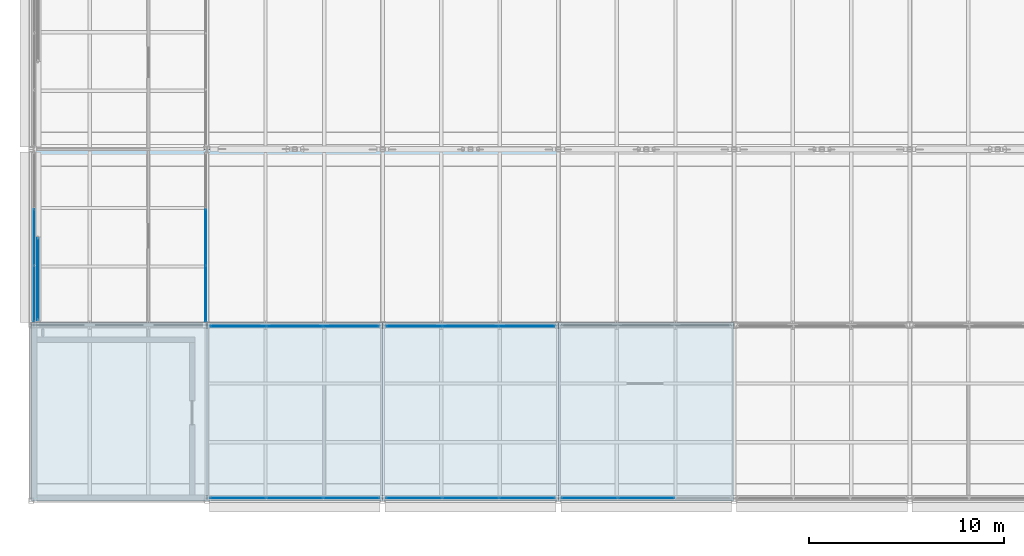
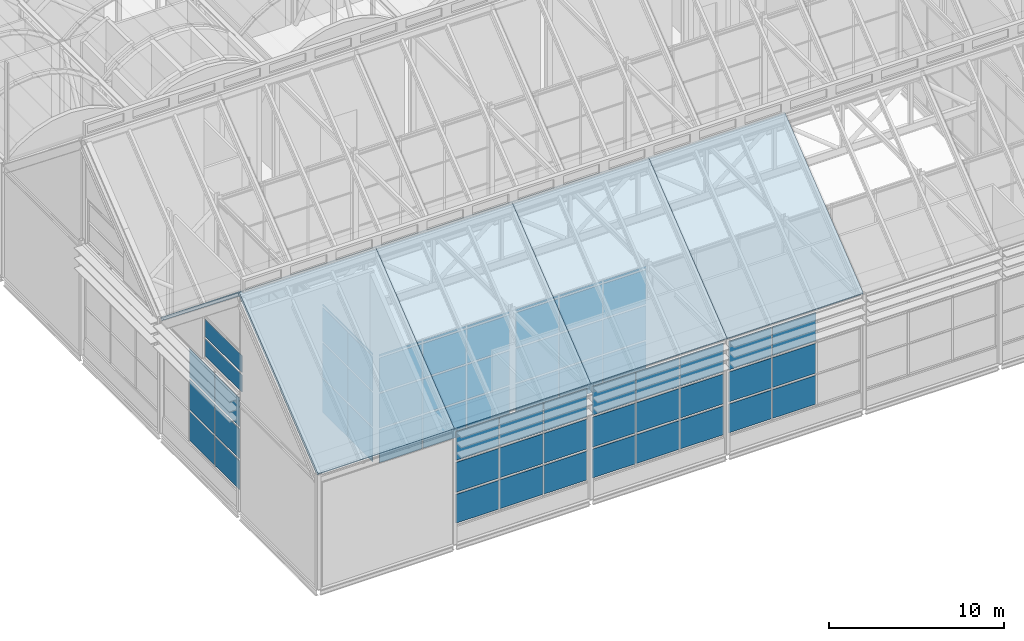
# One storey, part 117 of 144: 64 plates, 7 slabs, 8 elements without a shape of their own.
"""IFC4 building model written with IfcOpenShell, lengths in metres."""

from ifc_helpers import new_model, si_unit, direction, frame, origin, origin_2d, place, context, subcontext, project, spatial, polyline, rectangle, outline, extrude, material, layer, layer_set, type_object, element, aggregate, save


model = new_model("IFC4")

# Units and contexts
model_context = context("Model", 3, precision=1e-05, world=origin(), true_north=direction((0.0, 1.0)))
body_context = subcontext(model_context, "Body", "Model", "MODEL_VIEW")
ifc_project = project(units=[si_unit("LENGTHUNIT", "METRE"), si_unit("AREAUNIT", "SQUARE_METRE"), si_unit("VOLUMEUNIT", "CUBIC_METRE"), si_unit("PLANEANGLEUNIT", "RADIAN"), si_unit("MASSUNIT", "GRAM", prefix="KILO")], contexts=[model_context])

# Site, building, storey
site_placement = place(None, origin())
site = spatial("IfcSite", under=ifc_project, at=site_placement, CompositionType="ELEMENT")
building_placement = place(site_placement, origin())
building = spatial("IfcBuilding", under=site, at=building_placement, Name="Shorebreak Coast Museum", CompositionType="ELEMENT")
storey_placement = place(building_placement, frame((0.0, 0.0, 36.0)))
storey = spatial("IfcBuildingStorey", under=building, at=storey_placement, Name="L06", CompositionType="ELEMENT", Elevation=36.0)

# Curtain wall, plates
ifc_material_1 = material(Name="Aluminium", Category="aluminium")
ifc_layer_1 = layer(ifc_material_1, 0.1201171875)
ifc_layer_set_1 = layer_set([ifc_layer_1], Name="Aluminium")
curtain_wall_type_1 = type_object("IfcCurtainWallType", Name="Atrium fire screen", PredefinedType="NOTDEFINED", material=ifc_layer_set_1)
curtain_wall_1_placement = place(storey_placement, origin())
curtain_wall_1 = element("IfcCurtainWall", 1, at=curtain_wall_1_placement, inside=storey, type_object=curtain_wall_type_1, Name="Atrium screen L06 S 79", PredefinedType="NOTDEFINED")
ifc_material_2 = material(Name="Glass", Category="glass")
ifc_layer_2 = layer(ifc_material_2, 0.034912109375)
ifc_layer_set_2 = layer_set([ifc_layer_2], Name="Glass")
plate_type_1 = type_object("IfcPlateType", Name="Fire-resisting glass panel 35", PredefinedType="CURTAIN_PANEL", material=ifc_layer_set_2)
plate_1_placement = place(storey_placement, frame((64.61474609375, 62.93994140625, 0.1201171875), z_axis=(0.0, 0.0, 1.0), x_axis=(1.0, 0.0, 0.0)))
plate_1 = element("IfcPlate", 2, at=plate_1_placement, type_object=plate_type_1, Name="CW5 panel 1.1", PredefinedType="CURTAIN_PANEL", context=body_context, shape_type="SweptSolid", body=[
    extrude(rectangle(XDim=2.82275390625, YDim=0.034912109375, at=origin_2d()), origin(), (0.0, 0.0, 1.0), 2.320068359375),
])
plate_2_placement = place(storey_placement, frame((64.61474609375, 62.93994140625, 2.56005859375), z_axis=(0.0, 0.0, 1.0), x_axis=(1.0, 0.0, 0.0)))
plate_2 = element("IfcPlate", 3, at=plate_2_placement, type_object=plate_type_1, Name="CW5 panel 1.2", PredefinedType="CURTAIN_PANEL", context=body_context, shape_type="SweptSolid", body=[
    extrude(rectangle(XDim=2.82275390625, YDim=0.034912109375, at=origin_2d()), origin(), (0.0, 0.0, 1.0), 2.3798828125),
])
plate_3_placement = place(storey_placement, frame((64.61474609375, 62.93994140625, 5.06005859375), z_axis=(0.0, 0.0, 1.0), x_axis=(1.0, 0.0, 0.0)))
plate_3 = element("IfcPlate", 4, at=plate_3_placement, type_object=plate_type_1, Name="CW5 panel 1.3", PredefinedType="CURTAIN_PANEL", context=body_context, shape_type="SweptSolid", body=[
    extrude(rectangle(XDim=2.82275390625, YDim=0.034912109375, at=origin_2d()), origin(), (0.0, 0.0, 1.0), 2.3798828125),
])
plate_4_placement = place(storey_placement, frame((64.61474609375, 62.93994140625, 7.56005859375), z_axis=(0.0, 0.0, 1.0), x_axis=(1.0, 0.0, 0.0)))
plate_4 = element("IfcPlate", 5, at=plate_4_placement, type_object=plate_type_1, Name="CW5 panel 1.4", PredefinedType="CURTAIN_PANEL", context=body_context, shape_type="SweptSolid", body=[
    extrude(rectangle(XDim=2.82275390625, YDim=0.034912109375, at=origin_2d()), origin(), (0.0, 0.0, 1.0), 0.1201171875),
])
plate_5_placement = place(storey_placement, frame((67.5, 62.93994140625, 0.1201171875), z_axis=(0.0, 0.0, 1.0), x_axis=(1.0, 0.0, 0.0)))
plate_5 = element("IfcPlate", 6, at=plate_5_placement, type_object=plate_type_1, Name="CW5 panel 2.1", PredefinedType="CURTAIN_PANEL", context=body_context, shape_type="SweptSolid", body=[
    extrude(rectangle(XDim=2.84765625, YDim=0.034912109375, at=origin_2d()), origin(), (0.0, 0.0, 1.0), 2.320068359375),
])
plate_6_placement = place(storey_placement, frame((67.5, 62.93994140625, 2.56005859375), z_axis=(0.0, 0.0, 1.0), x_axis=(1.0, 0.0, 0.0)))
plate_6 = element("IfcPlate", 7, at=plate_6_placement, type_object=plate_type_1, Name="CW5 panel 2.2", PredefinedType="CURTAIN_PANEL", context=body_context, shape_type="SweptSolid", body=[
    extrude(rectangle(XDim=2.84765625, YDim=0.034912109375, at=origin_2d()), origin(), (0.0, 0.0, 1.0), 2.3798828125),
])
plate_7_placement = place(storey_placement, frame((67.5, 62.93994140625, 5.06005859375), z_axis=(0.0, 0.0, 1.0), x_axis=(1.0, 0.0, 0.0)))
plate_7 = element("IfcPlate", 8, at=plate_7_placement, type_object=plate_type_1, Name="CW5 panel 2.3", PredefinedType="CURTAIN_PANEL", context=body_context, shape_type="SweptSolid", body=[
    extrude(rectangle(XDim=2.84765625, YDim=0.034912109375, at=origin_2d()), origin(), (0.0, 0.0, 1.0), 2.3798828125),
])
plate_8_placement = place(storey_placement, frame((67.5, 62.93994140625, 7.56005859375), z_axis=(0.0, 0.0, 1.0), x_axis=(1.0, 0.0, 0.0)))
plate_8 = element("IfcPlate", 9, at=plate_8_placement, type_object=plate_type_1, Name="CW5 panel 2.4", PredefinedType="CURTAIN_PANEL", context=body_context, shape_type="SweptSolid", body=[
    extrude(rectangle(XDim=2.84765625, YDim=0.034912109375, at=origin_2d()), origin(), (0.0, 0.0, 1.0), 0.1201171875),
])
plate_9_placement = place(storey_placement, frame((70.38525390625, 62.93994140625, 0.1201171875), z_axis=(0.0, 0.0, 1.0), x_axis=(1.0, 0.0, 0.0)))
plate_9 = element("IfcPlate", 10, at=plate_9_placement, type_object=plate_type_1, Name="CW5 panel 3.1", PredefinedType="CURTAIN_PANEL", context=body_context, shape_type="SweptSolid", body=[
    extrude(rectangle(XDim=2.82275390625, YDim=0.034912109375, at=origin_2d()), origin(), (0.0, 0.0, 1.0), 2.320068359375),
])
plate_10_placement = place(storey_placement, frame((70.38525390625, 62.93994140625, 2.56005859375), z_axis=(0.0, 0.0, 1.0), x_axis=(1.0, 0.0, 0.0)))
plate_10 = element("IfcPlate", 11, at=plate_10_placement, type_object=plate_type_1, Name="CW5 panel 3.2", PredefinedType="CURTAIN_PANEL", context=body_context, shape_type="SweptSolid", body=[
    extrude(rectangle(XDim=2.82275390625, YDim=0.034912109375, at=origin_2d()), origin(), (0.0, 0.0, 1.0), 2.3798828125),
])
plate_11_placement = place(storey_placement, frame((70.38525390625, 62.93994140625, 5.06005859375), z_axis=(0.0, 0.0, 1.0), x_axis=(1.0, 0.0, 0.0)))
plate_11 = element("IfcPlate", 12, at=plate_11_placement, type_object=plate_type_1, Name="CW5 panel 3.3", PredefinedType="CURTAIN_PANEL", context=body_context, shape_type="SweptSolid", body=[
    extrude(rectangle(XDim=2.82275390625, YDim=0.034912109375, at=origin_2d()), origin(), (0.0, 0.0, 1.0), 2.3798828125),
])
plate_12_placement = place(storey_placement, frame((70.38525390625, 62.93994140625, 7.56005859375), z_axis=(0.0, 0.0, 1.0), x_axis=(1.0, 0.0, 0.0)))
plate_12 = element("IfcPlate", 13, at=plate_12_placement, type_object=plate_type_1, Name="CW5 panel 3.4", PredefinedType="CURTAIN_PANEL", context=body_context, shape_type="SweptSolid", body=[
    extrude(rectangle(XDim=2.82275390625, YDim=0.034912109375, at=origin_2d()), origin(), (0.0, 0.0, 1.0), 0.1201171875),
])
aggregate(curtain_wall_1, [plate_1, plate_2, plate_3, plate_4, plate_5, plate_6, plate_7, plate_8, plate_9, plate_10, plate_11, plate_12])

curtain_wall_2_placement = place(storey_placement, origin())
curtain_wall_2 = element("IfcCurtainWall", 14, at=curtain_wall_2_placement, inside=storey, type_object=curtain_wall_type_1, Name="Atrium screen L06 S 80", PredefinedType="NOTDEFINED")
plate_13_placement = place(storey_placement, frame((73.61474609375, 62.93994140625, 0.1201171875), z_axis=(0.0, 0.0, 1.0), x_axis=(1.0, 0.0, 0.0)))
plate_13 = element("IfcPlate", 15, at=plate_13_placement, type_object=plate_type_1, Name="CW6 panel 1.1", PredefinedType="CURTAIN_PANEL", context=body_context, shape_type="SweptSolid", body=[
    extrude(rectangle(XDim=2.82275390625, YDim=0.034912109375, at=origin_2d()), origin(), (0.0, 0.0, 1.0), 2.320068359375),
])
plate_14_placement = place(storey_placement, frame((73.61474609375, 62.93994140625, 2.56005859375), z_axis=(0.0, 0.0, 1.0), x_axis=(1.0, 0.0, 0.0)))
plate_14 = element("IfcPlate", 16, at=plate_14_placement, type_object=plate_type_1, Name="CW6 panel 1.2", PredefinedType="CURTAIN_PANEL", context=body_context, shape_type="SweptSolid", body=[
    extrude(rectangle(XDim=2.82275390625, YDim=0.034912109375, at=origin_2d()), origin(), (0.0, 0.0, 1.0), 2.3798828125),
])
plate_15_placement = place(storey_placement, frame((73.61474609375, 62.93994140625, 5.06005859375), z_axis=(0.0, 0.0, 1.0), x_axis=(1.0, 0.0, 0.0)))
plate_15 = element("IfcPlate", 17, at=plate_15_placement, type_object=plate_type_1, Name="CW6 panel 1.3", PredefinedType="CURTAIN_PANEL", context=body_context, shape_type="SweptSolid", body=[
    extrude(rectangle(XDim=2.82275390625, YDim=0.034912109375, at=origin_2d()), origin(), (0.0, 0.0, 1.0), 2.3798828125),
])
plate_16_placement = place(storey_placement, frame((73.61474609375, 62.93994140625, 7.56005859375), z_axis=(0.0, 0.0, 1.0), x_axis=(1.0, 0.0, 0.0)))
plate_16 = element("IfcPlate", 18, at=plate_16_placement, type_object=plate_type_1, Name="CW6 panel 1.4", PredefinedType="CURTAIN_PANEL", context=body_context, shape_type="SweptSolid", body=[
    extrude(rectangle(XDim=2.82275390625, YDim=0.034912109375, at=origin_2d()), origin(), (0.0, 0.0, 1.0), 0.1201171875),
])
plate_17_placement = place(storey_placement, frame((76.5, 62.93994140625, 0.1201171875), z_axis=(0.0, 0.0, 1.0), x_axis=(1.0, 0.0, 0.0)))
plate_17 = element("IfcPlate", 19, at=plate_17_placement, type_object=plate_type_1, Name="CW6 panel 2.1", PredefinedType="CURTAIN_PANEL", context=body_context, shape_type="SweptSolid", body=[
    extrude(rectangle(XDim=2.84765625, YDim=0.034912109375, at=origin_2d()), origin(), (0.0, 0.0, 1.0), 2.320068359375),
])
plate_18_placement = place(storey_placement, frame((76.5, 62.93994140625, 2.56005859375), z_axis=(0.0, 0.0, 1.0), x_axis=(1.0, 0.0, 0.0)))
plate_18 = element("IfcPlate", 20, at=plate_18_placement, type_object=plate_type_1, Name="CW6 panel 2.2", PredefinedType="CURTAIN_PANEL", context=body_context, shape_type="SweptSolid", body=[
    extrude(rectangle(XDim=2.84765625, YDim=0.034912109375, at=origin_2d()), origin(), (0.0, 0.0, 1.0), 2.3798828125),
])
plate_19_placement = place(storey_placement, frame((76.5, 62.93994140625, 5.06005859375), z_axis=(0.0, 0.0, 1.0), x_axis=(1.0, 0.0, 0.0)))
plate_19 = element("IfcPlate", 21, at=plate_19_placement, type_object=plate_type_1, Name="CW6 panel 2.3", PredefinedType="CURTAIN_PANEL", context=body_context, shape_type="SweptSolid", body=[
    extrude(rectangle(XDim=2.84765625, YDim=0.034912109375, at=origin_2d()), origin(), (0.0, 0.0, 1.0), 2.3798828125),
])
plate_20_placement = place(storey_placement, frame((76.5, 62.93994140625, 7.56005859375), z_axis=(0.0, 0.0, 1.0), x_axis=(1.0, 0.0, 0.0)))
plate_20 = element("IfcPlate", 22, at=plate_20_placement, type_object=plate_type_1, Name="CW6 panel 2.4", PredefinedType="CURTAIN_PANEL", context=body_context, shape_type="SweptSolid", body=[
    extrude(rectangle(XDim=2.84765625, YDim=0.034912109375, at=origin_2d()), origin(), (0.0, 0.0, 1.0), 0.1201171875),
])
plate_21_placement = place(storey_placement, frame((79.38525390625, 62.93994140625, 0.1201171875), z_axis=(0.0, 0.0, 1.0), x_axis=(1.0, 0.0, 0.0)))
plate_21 = element("IfcPlate", 23, at=plate_21_placement, type_object=plate_type_1, Name="CW6 panel 3.1", PredefinedType="CURTAIN_PANEL", context=body_context, shape_type="SweptSolid", body=[
    extrude(rectangle(XDim=2.82275390625, YDim=0.034912109375, at=origin_2d()), origin(), (0.0, 0.0, 1.0), 2.320068359375),
])
plate_22_placement = place(storey_placement, frame((79.38525390625, 62.93994140625, 2.56005859375), z_axis=(0.0, 0.0, 1.0), x_axis=(1.0, 0.0, 0.0)))
plate_22 = element("IfcPlate", 24, at=plate_22_placement, type_object=plate_type_1, Name="CW6 panel 3.2", PredefinedType="CURTAIN_PANEL", context=body_context, shape_type="SweptSolid", body=[
    extrude(rectangle(XDim=2.82275390625, YDim=0.034912109375, at=origin_2d()), origin(), (0.0, 0.0, 1.0), 2.3798828125),
])
plate_23_placement = place(storey_placement, frame((79.38525390625, 62.93994140625, 5.06005859375), z_axis=(0.0, 0.0, 1.0), x_axis=(1.0, 0.0, 0.0)))
plate_23 = element("IfcPlate", 25, at=plate_23_placement, type_object=plate_type_1, Name="CW6 panel 3.3", PredefinedType="CURTAIN_PANEL", context=body_context, shape_type="SweptSolid", body=[
    extrude(rectangle(XDim=2.82275390625, YDim=0.034912109375, at=origin_2d()), origin(), (0.0, 0.0, 1.0), 2.3798828125),
])
plate_24_placement = place(storey_placement, frame((79.38525390625, 62.93994140625, 7.56005859375), z_axis=(0.0, 0.0, 1.0), x_axis=(1.0, 0.0, 0.0)))
plate_24 = element("IfcPlate", 26, at=plate_24_placement, type_object=plate_type_1, Name="CW6 panel 3.4", PredefinedType="CURTAIN_PANEL", context=body_context, shape_type="SweptSolid", body=[
    extrude(rectangle(XDim=2.82275390625, YDim=0.034912109375, at=origin_2d()), origin(), (0.0, 0.0, 1.0), 0.1201171875),
])
aggregate(curtain_wall_2, [plate_13, plate_14, plate_15, plate_16, plate_17, plate_18, plate_19, plate_20, plate_21, plate_22, plate_23, plate_24])

curtain_wall_3_placement = place(storey_placement, origin())
curtain_wall_3 = element("IfcCurtainWall", 27, at=curtain_wall_3_placement, inside=storey, type_object=curtain_wall_type_1, Name="Atrium screen L06 W 89", PredefinedType="NOTDEFINED")
plate_25_placement = place(storey_placement, frame((62.93994140625, 64.6162109375, 0.1201171875), z_axis=(0.0, 0.0, 1.0), x_axis=(0.0, 1.0, 0.0)))
plate_25 = element("IfcPlate", 28, at=plate_25_placement, type_object=plate_type_1, Name="CW6 panel 1.1", PredefinedType="CURTAIN_PANEL", context=body_context, shape_type="SweptSolid", body=[
    extrude(rectangle(XDim=2.818115234375, YDim=0.034912109375, at=origin_2d()), origin(), (0.0, 0.0, 1.0), 2.320068359375),
])
plate_26_placement = place(storey_placement, frame((62.93994140625, 64.6162109375, 2.56005859375), z_axis=(0.0, 0.0, 1.0), x_axis=(0.0, 1.0, 0.0)))
plate_26 = element("IfcPlate", 29, at=plate_26_placement, type_object=plate_type_1, Name="CW6 panel 1.2", PredefinedType="CURTAIN_PANEL", context=body_context, shape_type="SweptSolid", body=[
    extrude(rectangle(XDim=2.818115234375, YDim=0.034912109375, at=origin_2d()), origin(), (0.0, 0.0, 1.0), 2.3798828125),
])
plate_27_placement = place(storey_placement, frame((62.93994140625, 64.6162109375, 5.06005859375), z_axis=(0.0, 0.0, 1.0), x_axis=(0.0, 1.0, 0.0)))
plate_27 = element("IfcPlate", 30, at=plate_27_placement, type_object=plate_type_1, Name="CW6 panel 1.3", PredefinedType="CURTAIN_PANEL", context=body_context, shape_type="SweptSolid", body=[
    extrude(rectangle(XDim=2.818115234375, YDim=0.034912109375, at=origin_2d()), origin(), (0.0, 0.0, 1.0), 2.3798828125),
])
plate_28_placement = place(storey_placement, frame((62.93994140625, 64.6162109375, 7.56005859375), z_axis=(0.0, 0.0, 1.0), x_axis=(0.0, 1.0, 0.0)))
plate_28 = element("IfcPlate", 31, at=plate_28_placement, type_object=plate_type_1, Name="CW6 panel 1.4", PredefinedType="CURTAIN_PANEL", context=body_context, shape_type="SweptSolid", body=[
    extrude(rectangle(XDim=2.818115234375, YDim=0.034912109375, at=origin_2d()), origin(), (0.0, 0.0, 1.0), 0.1201171875),
])
plate_29_placement = place(storey_placement, frame((62.93994140625, 67.496826171875, 0.1201171875), z_axis=(0.0, 0.0, 1.0), x_axis=(0.0, 1.0, 0.0)))
plate_29 = element("IfcPlate", 32, at=plate_29_placement, type_object=plate_type_1, Name="CW6 panel 2.1", PredefinedType="CURTAIN_PANEL", context=body_context, shape_type="SweptSolid", body=[
    extrude(rectangle(XDim=2.843017578125, YDim=0.034912109375, at=origin_2d()), origin(), (0.0, 0.0, 1.0), 2.320068359375),
])
plate_30_placement = place(storey_placement, frame((62.93994140625, 67.496826171875, 2.56005859375), z_axis=(0.0, 0.0, 1.0), x_axis=(0.0, 1.0, 0.0)))
plate_30 = element("IfcPlate", 33, at=plate_30_placement, type_object=plate_type_1, Name="CW6 panel 2.2", PredefinedType="CURTAIN_PANEL", context=body_context, shape_type="SweptSolid", body=[
    extrude(rectangle(XDim=2.843017578125, YDim=0.034912109375, at=origin_2d()), origin(), (0.0, 0.0, 1.0), 2.3798828125),
])
plate_31_placement = place(storey_placement, frame((62.93994140625, 67.496826171875, 5.06005859375), z_axis=(0.0, 0.0, 1.0), x_axis=(0.0, 1.0, 0.0)))
plate_31 = element("IfcPlate", 34, at=plate_31_placement, type_object=plate_type_1, Name="CW6 panel 2.3", PredefinedType="CURTAIN_PANEL", context=body_context, shape_type="SweptSolid", body=[
    extrude(rectangle(XDim=2.843017578125, YDim=0.034912109375, at=origin_2d()), origin(), (0.0, 0.0, 1.0), 2.3798828125),
])
plate_32_placement = place(storey_placement, frame((62.93994140625, 67.496826171875, 7.56005859375), z_axis=(0.0, 0.0, 1.0), x_axis=(0.0, 1.0, 0.0)))
plate_32 = element("IfcPlate", 35, at=plate_32_placement, type_object=plate_type_1, Name="CW6 panel 2.4", PredefinedType="CURTAIN_PANEL", context=body_context, shape_type="SweptSolid", body=[
    extrude(rectangle(XDim=2.843017578125, YDim=0.034912109375, at=origin_2d()), origin(), (0.0, 0.0, 1.0), 0.1201171875),
])
aggregate(curtain_wall_3, [plate_25, plate_26, plate_27, plate_28, plate_29, plate_30, plate_31, plate_32])

ifc_material_3 = material(Name="Aluminium", Category="aluminium")
ifc_layer_3 = layer(ifc_material_3, 0.175048828125)
ifc_layer_set_3 = layer_set([ifc_layer_3], Name="Aluminium")
curtain_wall_type_2 = type_object("IfcCurtainWallType", Name="Gable curtain wall", PredefinedType="NOTDEFINED", material=ifc_layer_set_3)
curtain_wall_4_placement = place(storey_placement, origin())
curtain_wall_4 = element("IfcCurtainWall", 36, at=curtain_wall_4_placement, inside=storey, type_object=curtain_wall_type_2, Name="Gable glazing FOLD-X-54-1", PredefinedType="NOTDEFINED")
ifc_material_4 = material(Name="Glass", Category="glass")
ifc_layer_4 = layer(ifc_material_4, 0.0400390625)
ifc_layer_set_4 = layer_set([ifc_layer_4], Name="Glass")
plate_type_2 = type_object("IfcPlateType", Name="Gable glass panel 40", PredefinedType="CURTAIN_PANEL", material=ifc_layer_set_4)
plate_33_placement = place(storey_placement, frame((54.33056640625, 65.348388671875, 7.97509765625), z_axis=(0.0, 0.0, 1.0), x_axis=(0.0, 1.0, 0.0)))
plate_33 = element("IfcPlate", 37, at=plate_33_placement, type_object=plate_type_2, Name="CW9 panel 1.1", PredefinedType="CURTAIN_PANEL", context=body_context, shape_type="SweptSolid", body=[
    extrude(rectangle(XDim=4.18310546875, YDim=0.0400390625, at=origin_2d()), origin(), (0.0, 0.0, 1.0), 1.1884765625),
])
plate_34_placement = place(storey_placement, frame((54.33056640625, 65.348388671875, 9.338623046875), z_axis=(0.0, 0.0, 1.0), x_axis=(0.0, 1.0, 0.0)))
plate_34 = element("IfcPlate", 38, at=plate_34_placement, type_object=plate_type_2, Name="CW9 panel 1.2", PredefinedType="CURTAIN_PANEL", context=body_context, shape_type="SweptSolid", body=[
    extrude(rectangle(XDim=4.18310546875, YDim=0.0400390625, at=origin_2d()), origin(), (0.0, 0.0, 1.0), 1.1884765625),
])
aggregate(curtain_wall_4, [plate_33, plate_34])

# Slabs
ifc_material_5 = material(Name="Concrete N50 (50 MPa)", Category="concrete")
ifc_layer_5 = layer(ifc_material_5, 0.199951171875)
ifc_layer_set_5 = layer_set([ifc_layer_5], Name="Concrete N50 (50 MPa)")
slab_type = type_object("IfcSlabType", Name="Roof slab folded plate 200 concrete N50", PredefinedType="ROOF", material=ifc_layer_set_5)
for number, where, z_axis, x_axis, name in (
    (39, (54.0, 54.0, 8.0), (0.0, -0.624692464322, 0.780870876022), (1.0, 0.0, 0.0), "Folded roof slab FOLD-X-P01"),
    (40, (63.0, 54.0, 8.0), (0.0, -0.624692464322, 0.780870876022), (1.0, 0.0, 0.0), "Folded roof slab FOLD-X-P02"),
    (41, (72.0, 54.0, 8.0), (0.0, -0.624692464322, 0.780870876022), (1.0, 0.0, 0.0), "Folded roof slab FOLD-X-P03"),
    (42, (81.0, 54.0, 8.0), (0.0, -0.624692464322, 0.780870876022), (1.0, 0.0, 0.0), "Folded roof slab FOLD-X-P04"),
    (43, (54.0, 63.0, 15.199951171875), (0.0, 0.624692464322, 0.780870876022), (1.0, 0.0, 0.0), "Folded roof slab FOLD-X-P08"),
    (44, (63.0, 63.0, 15.199951171875), (0.0, 0.624692464322, 0.780870876022), (1.0, 0.0, 0.0), "Folded roof slab FOLD-X-P09"),
    (45, (72.0, 63.0, 15.199951171875), (0.0, 0.624692464322, 0.780870876022), (1.0, 0.0, 0.0), "Folded roof slab FOLD-X-P10"),
):
    element("IfcSlab", number, at=place(storey_placement, frame(where, z_axis=z_axis, x_axis=x_axis)), inside=storey, type_object=slab_type, Name=name, PredefinedType="ROOF", context=body_context, shape_type="SweptSolid", body=[
        extrude(outline(polyline([(0.0, 0.0), (9.0, 0.0), (9.0, 11.525593124754327), (0.0, 11.525593124754327), (0.0, 0.0)])), origin(), (0.0, 0.0, -1.0), 0.199951171875),
    ])

# Curtain wall, plates
ifc_material_6 = material(Name="Aluminium", Category="aluminium")
ifc_layer_6 = layer(ifc_material_6, 0.14990234375)
ifc_layer_set_6 = layer_set([ifc_layer_6], Name="Aluminium")
curtain_wall_type_3 = type_object("IfcCurtainWallType", Name="Storefront curtain wall", PredefinedType="NOTDEFINED", material=ifc_layer_set_6)
curtain_wall_5_placement = place(storey_placement, origin())
curtain_wall_5 = element("IfcCurtainWall", 46, at=curtain_wall_5_placement, inside=storey, type_object=curtain_wall_type_3, Name="Atrium Hall glazing L06 S 22", PredefinedType="NOTDEFINED")
ifc_material_7 = material(Name="Glass", Category="glass")
ifc_layer_7 = layer(ifc_material_7, 0.031982421875)
ifc_layer_set_7 = layer_set([ifc_layer_7], Name="Glass")
plate_type_3 = type_object("IfcPlateType", Name="Storefront glass panel 32", PredefinedType="CURTAIN_PANEL", material=ifc_layer_set_7)
plate_35_placement = place(storey_placement, frame((64.595947265625, 54.14990234375, 1.25), z_axis=(0.0, 0.0, 1.0), x_axis=(1.0, 0.0, 0.0)))
plate_35 = element("IfcPlate", 47, at=plate_35_placement, type_object=plate_type_3, Name="CW5 panel 1.1", PredefinedType="CURTAIN_PANEL", context=body_context, shape_type="SweptSolid", body=[
    extrude(rectangle(XDim=2.841552734375, YDim=0.031982421875, at=origin_2d()), origin(), (0.0, 0.0, 1.0), 2.00830078125),
])
plate_36_placement = place(storey_placement, frame((64.595947265625, 54.14990234375, 3.408203125), z_axis=(0.0, 0.0, 1.0), x_axis=(1.0, 0.0, 0.0)))
plate_36 = element("IfcPlate", 48, at=plate_36_placement, type_object=plate_type_3, Name="CW5 panel 1.2", PredefinedType="CURTAIN_PANEL", context=body_context, shape_type="SweptSolid", body=[
    extrude(rectangle(XDim=2.841552734375, YDim=0.031982421875, at=origin_2d()), origin(), (0.0, 0.0, 1.0), 2.08349609375),
])
plate_37_placement = place(storey_placement, frame((64.595947265625, 54.14990234375, 5.6416015625), z_axis=(0.0, 0.0, 1.0), x_axis=(1.0, 0.0, 0.0)))
plate_37 = element("IfcPlate", 49, at=plate_37_placement, type_object=plate_type_3, Name="CW5 panel 1.3", PredefinedType="CURTAIN_PANEL", context=body_context, shape_type="SweptSolid", body=[
    extrude(rectangle(XDim=2.841552734375, YDim=0.031982421875, at=origin_2d()), origin(), (0.0, 0.0, 1.0), 2.00830078125),
])
plate_38_placement = place(storey_placement, frame((67.5, 54.14990234375, 1.25), z_axis=(0.0, 0.0, 1.0), x_axis=(1.0, 0.0, 0.0)))
plate_38 = element("IfcPlate", 50, at=plate_38_placement, type_object=plate_type_3, Name="CW5 panel 2.1", PredefinedType="CURTAIN_PANEL", context=body_context, shape_type="SweptSolid", body=[
    extrude(rectangle(XDim=2.86669921875, YDim=0.031982421875, at=origin_2d()), origin(), (0.0, 0.0, 1.0), 2.00830078125),
])
plate_39_placement = place(storey_placement, frame((67.5, 54.14990234375, 3.408203125), z_axis=(0.0, 0.0, 1.0), x_axis=(1.0, 0.0, 0.0)))
plate_39 = element("IfcPlate", 51, at=plate_39_placement, type_object=plate_type_3, Name="CW5 panel 2.2", PredefinedType="CURTAIN_PANEL", context=body_context, shape_type="SweptSolid", body=[
    extrude(rectangle(XDim=2.86669921875, YDim=0.031982421875, at=origin_2d()), origin(), (0.0, 0.0, 1.0), 2.08349609375),
])
plate_40_placement = place(storey_placement, frame((67.5, 54.14990234375, 5.6416015625), z_axis=(0.0, 0.0, 1.0), x_axis=(1.0, 0.0, 0.0)))
plate_40 = element("IfcPlate", 52, at=plate_40_placement, type_object=plate_type_3, Name="CW5 panel 2.3", PredefinedType="CURTAIN_PANEL", context=body_context, shape_type="SweptSolid", body=[
    extrude(rectangle(XDim=2.86669921875, YDim=0.031982421875, at=origin_2d()), origin(), (0.0, 0.0, 1.0), 2.00830078125),
])
plate_41_placement = place(storey_placement, frame((70.404052734375, 54.14990234375, 1.25), z_axis=(0.0, 0.0, 1.0), x_axis=(1.0, 0.0, 0.0)))
plate_41 = element("IfcPlate", 53, at=plate_41_placement, type_object=plate_type_3, Name="CW5 panel 3.1", PredefinedType="CURTAIN_PANEL", context=body_context, shape_type="SweptSolid", body=[
    extrude(rectangle(XDim=2.841552734375, YDim=0.031982421875, at=origin_2d()), origin(), (0.0, 0.0, 1.0), 2.00830078125),
])
plate_42_placement = place(storey_placement, frame((70.404052734375, 54.14990234375, 3.408203125), z_axis=(0.0, 0.0, 1.0), x_axis=(1.0, 0.0, 0.0)))
plate_42 = element("IfcPlate", 54, at=plate_42_placement, type_object=plate_type_3, Name="CW5 panel 3.2", PredefinedType="CURTAIN_PANEL", context=body_context, shape_type="SweptSolid", body=[
    extrude(rectangle(XDim=2.841552734375, YDim=0.031982421875, at=origin_2d()), origin(), (0.0, 0.0, 1.0), 2.08349609375),
])
plate_43_placement = place(storey_placement, frame((70.404052734375, 54.14990234375, 5.6416015625), z_axis=(0.0, 0.0, 1.0), x_axis=(1.0, 0.0, 0.0)))
plate_43 = element("IfcPlate", 55, at=plate_43_placement, type_object=plate_type_3, Name="CW5 panel 3.3", PredefinedType="CURTAIN_PANEL", context=body_context, shape_type="SweptSolid", body=[
    extrude(rectangle(XDim=2.841552734375, YDim=0.031982421875, at=origin_2d()), origin(), (0.0, 0.0, 1.0), 2.00830078125),
])
aggregate(curtain_wall_5, [plate_35, plate_36, plate_37, plate_38, plate_39, plate_40, plate_41, plate_42, plate_43])

curtain_wall_6_placement = place(storey_placement, origin())
curtain_wall_6 = element("IfcCurtainWall", 56, at=curtain_wall_6_placement, inside=storey, type_object=curtain_wall_type_3, Name="Atrium Hall glazing L06 S 23", PredefinedType="NOTDEFINED")
plate_44_placement = place(storey_placement, frame((73.595947265625, 54.14990234375, 1.25), z_axis=(0.0, 0.0, 1.0), x_axis=(1.0, 0.0, 0.0)))
plate_44 = element("IfcPlate", 57, at=plate_44_placement, type_object=plate_type_3, Name="CW5 panel 1.1", PredefinedType="CURTAIN_PANEL", context=body_context, shape_type="SweptSolid", body=[
    extrude(rectangle(XDim=2.841552734375, YDim=0.031982421875, at=origin_2d()), origin(), (0.0, 0.0, 1.0), 2.00830078125),
])
plate_45_placement = place(storey_placement, frame((73.595947265625, 54.14990234375, 3.408203125), z_axis=(0.0, 0.0, 1.0), x_axis=(1.0, 0.0, 0.0)))
plate_45 = element("IfcPlate", 58, at=plate_45_placement, type_object=plate_type_3, Name="CW5 panel 1.2", PredefinedType="CURTAIN_PANEL", context=body_context, shape_type="SweptSolid", body=[
    extrude(rectangle(XDim=2.841552734375, YDim=0.031982421875, at=origin_2d()), origin(), (0.0, 0.0, 1.0), 2.08349609375),
])
plate_46_placement = place(storey_placement, frame((73.595947265625, 54.14990234375, 5.6416015625), z_axis=(0.0, 0.0, 1.0), x_axis=(1.0, 0.0, 0.0)))
plate_46 = element("IfcPlate", 59, at=plate_46_placement, type_object=plate_type_3, Name="CW5 panel 1.3", PredefinedType="CURTAIN_PANEL", context=body_context, shape_type="SweptSolid", body=[
    extrude(rectangle(XDim=2.841552734375, YDim=0.031982421875, at=origin_2d()), origin(), (0.0, 0.0, 1.0), 2.00830078125),
])
plate_47_placement = place(storey_placement, frame((76.5, 54.14990234375, 1.25), z_axis=(0.0, 0.0, 1.0), x_axis=(1.0, 0.0, 0.0)))
plate_47 = element("IfcPlate", 60, at=plate_47_placement, type_object=plate_type_3, Name="CW5 panel 2.1", PredefinedType="CURTAIN_PANEL", context=body_context, shape_type="SweptSolid", body=[
    extrude(rectangle(XDim=2.86669921875, YDim=0.031982421875, at=origin_2d()), origin(), (0.0, 0.0, 1.0), 2.00830078125),
])
plate_48_placement = place(storey_placement, frame((76.5, 54.14990234375, 3.408203125), z_axis=(0.0, 0.0, 1.0), x_axis=(1.0, 0.0, 0.0)))
plate_48 = element("IfcPlate", 61, at=plate_48_placement, type_object=plate_type_3, Name="CW5 panel 2.2", PredefinedType="CURTAIN_PANEL", context=body_context, shape_type="SweptSolid", body=[
    extrude(rectangle(XDim=2.86669921875, YDim=0.031982421875, at=origin_2d()), origin(), (0.0, 0.0, 1.0), 2.08349609375),
])
plate_49_placement = place(storey_placement, frame((76.5, 54.14990234375, 5.6416015625), z_axis=(0.0, 0.0, 1.0), x_axis=(1.0, 0.0, 0.0)))
plate_49 = element("IfcPlate", 62, at=plate_49_placement, type_object=plate_type_3, Name="CW5 panel 2.3", PredefinedType="CURTAIN_PANEL", context=body_context, shape_type="SweptSolid", body=[
    extrude(rectangle(XDim=2.86669921875, YDim=0.031982421875, at=origin_2d()), origin(), (0.0, 0.0, 1.0), 2.00830078125),
])
plate_50_placement = place(storey_placement, frame((79.404052734375, 54.14990234375, 1.25), z_axis=(0.0, 0.0, 1.0), x_axis=(1.0, 0.0, 0.0)))
plate_50 = element("IfcPlate", 63, at=plate_50_placement, type_object=plate_type_3, Name="CW5 panel 3.1", PredefinedType="CURTAIN_PANEL", context=body_context, shape_type="SweptSolid", body=[
    extrude(rectangle(XDim=2.841552734375, YDim=0.031982421875, at=origin_2d()), origin(), (0.0, 0.0, 1.0), 2.00830078125),
])
plate_51_placement = place(storey_placement, frame((79.404052734375, 54.14990234375, 3.408203125), z_axis=(0.0, 0.0, 1.0), x_axis=(1.0, 0.0, 0.0)))
plate_51 = element("IfcPlate", 64, at=plate_51_placement, type_object=plate_type_3, Name="CW5 panel 3.2", PredefinedType="CURTAIN_PANEL", context=body_context, shape_type="SweptSolid", body=[
    extrude(rectangle(XDim=2.841552734375, YDim=0.031982421875, at=origin_2d()), origin(), (0.0, 0.0, 1.0), 2.08349609375),
])
plate_52_placement = place(storey_placement, frame((79.404052734375, 54.14990234375, 5.6416015625), z_axis=(0.0, 0.0, 1.0), x_axis=(1.0, 0.0, 0.0)))
plate_52 = element("IfcPlate", 65, at=plate_52_placement, type_object=plate_type_3, Name="CW5 panel 3.3", PredefinedType="CURTAIN_PANEL", context=body_context, shape_type="SweptSolid", body=[
    extrude(rectangle(XDim=2.841552734375, YDim=0.031982421875, at=origin_2d()), origin(), (0.0, 0.0, 1.0), 2.00830078125),
])
aggregate(curtain_wall_6, [plate_44, plate_45, plate_46, plate_47, plate_48, plate_49, plate_50, plate_51, plate_52])

curtain_wall_7_placement = place(storey_placement, origin())
curtain_wall_7 = element("IfcCurtainWall", 66, at=curtain_wall_7_placement, inside=storey, type_object=curtain_wall_type_3, Name="Atrium Hall glazing L06 S 24", PredefinedType="NOTDEFINED")
plate_53_placement = place(storey_placement, frame((82.595947265625, 54.14990234375, 1.25), z_axis=(0.0, 0.0, 1.0), x_axis=(1.0, 0.0, 0.0)))
plate_53 = element("IfcPlate", 67, at=plate_53_placement, type_object=plate_type_3, Name="CW5 panel 1.1", PredefinedType="CURTAIN_PANEL", context=body_context, shape_type="SweptSolid", body=[
    extrude(rectangle(XDim=2.841552734375, YDim=0.031982421875, at=origin_2d()), origin(), (0.0, 0.0, 1.0), 2.00830078125),
])
plate_54_placement = place(storey_placement, frame((82.595947265625, 54.14990234375, 3.408203125), z_axis=(0.0, 0.0, 1.0), x_axis=(1.0, 0.0, 0.0)))
plate_54 = element("IfcPlate", 68, at=plate_54_placement, type_object=plate_type_3, Name="CW5 panel 1.2", PredefinedType="CURTAIN_PANEL", context=body_context, shape_type="SweptSolid", body=[
    extrude(rectangle(XDim=2.841552734375, YDim=0.031982421875, at=origin_2d()), origin(), (0.0, 0.0, 1.0), 2.08349609375),
])
plate_55_placement = place(storey_placement, frame((82.595947265625, 54.14990234375, 5.6416015625), z_axis=(0.0, 0.0, 1.0), x_axis=(1.0, 0.0, 0.0)))
plate_55 = element("IfcPlate", 69, at=plate_55_placement, type_object=plate_type_3, Name="CW5 panel 1.3", PredefinedType="CURTAIN_PANEL", context=body_context, shape_type="SweptSolid", body=[
    extrude(rectangle(XDim=2.841552734375, YDim=0.031982421875, at=origin_2d()), origin(), (0.0, 0.0, 1.0), 2.00830078125),
])
plate_56_placement = place(storey_placement, frame((85.5, 54.14990234375, 1.25), z_axis=(0.0, 0.0, 1.0), x_axis=(1.0, 0.0, 0.0)))
plate_56 = element("IfcPlate", 70, at=plate_56_placement, type_object=plate_type_3, Name="CW5 panel 2.1", PredefinedType="CURTAIN_PANEL", context=body_context, shape_type="SweptSolid", body=[
    extrude(rectangle(XDim=2.86669921875, YDim=0.031982421875, at=origin_2d()), origin(), (0.0, 0.0, 1.0), 2.00830078125),
])
plate_57_placement = place(storey_placement, frame((85.5, 54.14990234375, 3.408203125), z_axis=(0.0, 0.0, 1.0), x_axis=(1.0, 0.0, 0.0)))
plate_57 = element("IfcPlate", 71, at=plate_57_placement, type_object=plate_type_3, Name="CW5 panel 2.2", PredefinedType="CURTAIN_PANEL", context=body_context, shape_type="SweptSolid", body=[
    extrude(rectangle(XDim=2.86669921875, YDim=0.031982421875, at=origin_2d()), origin(), (0.0, 0.0, 1.0), 2.08349609375),
])
plate_58_placement = place(storey_placement, frame((85.5, 54.14990234375, 5.6416015625), z_axis=(0.0, 0.0, 1.0), x_axis=(1.0, 0.0, 0.0)))
plate_58 = element("IfcPlate", 72, at=plate_58_placement, type_object=plate_type_3, Name="CW5 panel 2.3", PredefinedType="CURTAIN_PANEL", context=body_context, shape_type="SweptSolid", body=[
    extrude(rectangle(XDim=2.86669921875, YDim=0.031982421875, at=origin_2d()), origin(), (0.0, 0.0, 1.0), 2.00830078125),
])
aggregate(curtain_wall_7, [plate_53, plate_54, plate_55, plate_56, plate_57, plate_58])

curtain_wall_8_placement = place(storey_placement, origin())
curtain_wall_8 = element("IfcCurtainWall", 73, at=curtain_wall_8_placement, inside=storey, type_object=curtain_wall_type_3, Name="Atrium Hall glazing L06 W 27", PredefinedType="NOTDEFINED")
plate_59_placement = place(storey_placement, frame((54.14990234375, 64.607421875, 1.25), z_axis=(0.0, 0.0, 1.0), x_axis=(0.0, 1.0, 0.0)))
plate_59 = element("IfcPlate", 74, at=plate_59_placement, type_object=plate_type_3, Name="CW5 panel 1.1", PredefinedType="CURTAIN_PANEL", context=body_context, shape_type="SweptSolid", body=[
    extrude(rectangle(XDim=2.8369140625, YDim=0.031982421875, at=origin_2d()), origin(), (0.0, 0.0, 1.0), 2.00830078125),
])
plate_60_placement = place(storey_placement, frame((54.14990234375, 64.607421875, 3.408203125), z_axis=(0.0, 0.0, 1.0), x_axis=(0.0, 1.0, 0.0)))
plate_60 = element("IfcPlate", 75, at=plate_60_placement, type_object=plate_type_3, Name="CW5 panel 1.2", PredefinedType="CURTAIN_PANEL", context=body_context, shape_type="SweptSolid", body=[
    extrude(rectangle(XDim=2.8369140625, YDim=0.031982421875, at=origin_2d()), origin(), (0.0, 0.0, 1.0), 2.08349609375),
])
plate_61_placement = place(storey_placement, frame((54.14990234375, 64.607421875, 5.6416015625), z_axis=(0.0, 0.0, 1.0), x_axis=(0.0, 1.0, 0.0)))
plate_61 = element("IfcPlate", 76, at=plate_61_placement, type_object=plate_type_3, Name="CW5 panel 1.3", PredefinedType="CURTAIN_PANEL", context=body_context, shape_type="SweptSolid", body=[
    extrude(rectangle(XDim=2.8369140625, YDim=0.031982421875, at=origin_2d()), origin(), (0.0, 0.0, 1.0), 2.00830078125),
])
plate_62_placement = place(storey_placement, frame((54.14990234375, 67.507080078125, 1.25), z_axis=(0.0, 0.0, 1.0), x_axis=(0.0, 1.0, 0.0)))
plate_62 = element("IfcPlate", 77, at=plate_62_placement, type_object=plate_type_3, Name="CW5 panel 2.1", PredefinedType="CURTAIN_PANEL", context=body_context, shape_type="SweptSolid", body=[
    extrude(rectangle(XDim=2.862060546875, YDim=0.031982421875, at=origin_2d()), origin(), (0.0, 0.0, 1.0), 2.00830078125),
])
plate_63_placement = place(storey_placement, frame((54.14990234375, 67.507080078125, 3.408203125), z_axis=(0.0, 0.0, 1.0), x_axis=(0.0, 1.0, 0.0)))
plate_63 = element("IfcPlate", 78, at=plate_63_placement, type_object=plate_type_3, Name="CW5 panel 2.2", PredefinedType="CURTAIN_PANEL", context=body_context, shape_type="SweptSolid", body=[
    extrude(rectangle(XDim=2.862060546875, YDim=0.031982421875, at=origin_2d()), origin(), (0.0, 0.0, 1.0), 2.08349609375),
])
plate_64_placement = place(storey_placement, frame((54.14990234375, 67.507080078125, 5.6416015625), z_axis=(0.0, 0.0, 1.0), x_axis=(0.0, 1.0, 0.0)))
plate_64 = element("IfcPlate", 79, at=plate_64_placement, type_object=plate_type_3, Name="CW5 panel 2.3", PredefinedType="CURTAIN_PANEL", context=body_context, shape_type="SweptSolid", body=[
    extrude(rectangle(XDim=2.862060546875, YDim=0.031982421875, at=origin_2d()), origin(), (0.0, 0.0, 1.0), 2.00830078125),
])
aggregate(curtain_wall_8, [plate_59, plate_60, plate_61, plate_62, plate_63, plate_64])

save(model, "model.ifc")
